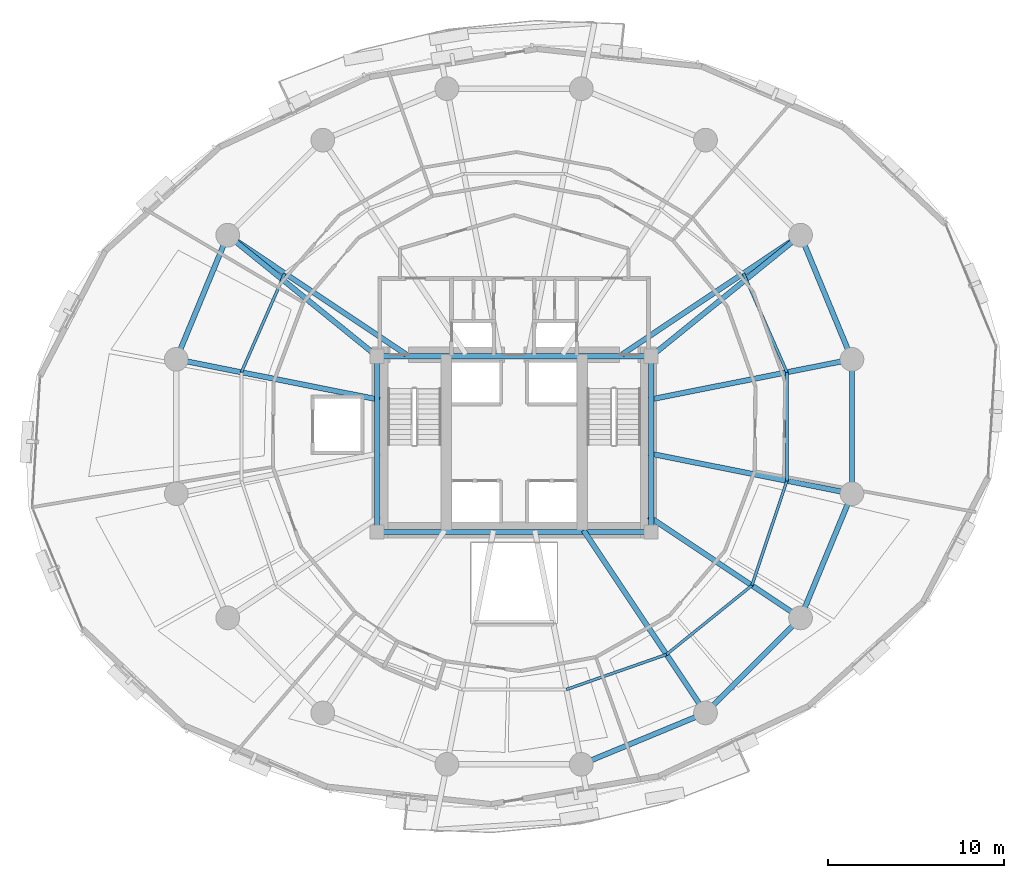
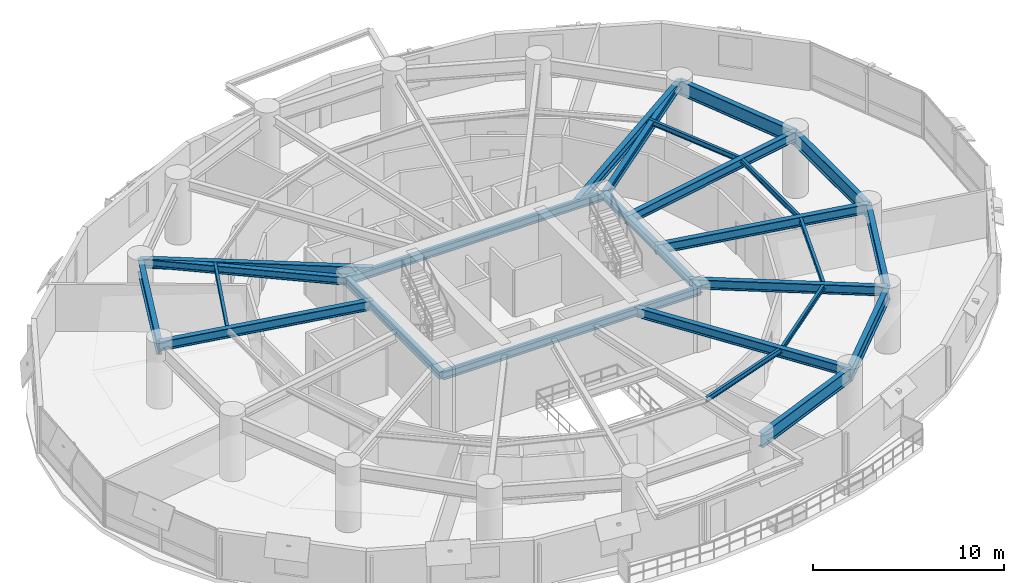
# One storey, part 7 of 17: 25 beams.
"""IFC4 building model written with IfcOpenShell, lengths in metres."""

from ifc_helpers import new_model, si_unit, direction, frame, origin, origin_2d, place, context, subcontext, project, spatial, i_section, extrude, material, material_profile, profile_set, type_object, element, save


model = new_model("IFC4")

# Units and contexts
model_context = context("Model", 3, precision=1e-05, world=origin(), true_north=direction((0.0, 1.0)))
body_context = subcontext(model_context, "Body", "Model", "MODEL_VIEW")
ifc_project = project(units=[si_unit("LENGTHUNIT", "METRE"), si_unit("AREAUNIT", "SQUARE_METRE"), si_unit("VOLUMEUNIT", "CUBIC_METRE"), si_unit("PLANEANGLEUNIT", "RADIAN"), si_unit("MASSUNIT", "GRAM", prefix="KILO"), si_unit("THERMODYNAMICTEMPERATUREUNIT", "KELVIN"), si_unit("POWERUNIT", "WATT")], contexts=[model_context])

# Site, building, storey
site_placement = place(None, origin())
site = spatial("IfcSite", under=ifc_project, at=site_placement, CompositionType="ELEMENT")
building_placement = place(site_placement, origin())
building = spatial("IfcBuilding", under=site, at=building_placement, Name="Ocrelia Relay Tower", CompositionType="ELEMENT")
storey_placement = place(building_placement, frame((0.0, 0.0, 72.0)))
storey = spatial("IfcBuildingStorey", under=building, at=storey_placement, Name="L16", CompositionType="ELEMENT", Elevation=72.0)

# Beams
ifc_material = material(Name="Steel S355", Category="steel")
ifc_material_profile_1 = material_profile(ifc_material, i_section(OverallWidth=0.300048828125, OverallDepth=0.5, WebThickness=0.014404296875, FlangeThickness=0.028076171875, FilletRadius=0.027099609375, at=origin_2d()), Name="HEB 500")
ifc_profile_set_1 = profile_set([ifc_material_profile_1], Name="Steel S355")
beam_type_1 = type_object("IfcBeamType", Name="BM-HEB500", PredefinedType="BEAM", material=ifc_profile_set_1)
for number, where, z_axis, x_axis, name in (
    (1, (26.199951171875, 20.0, 3.669921875), (1.0, 0.0, 0.0), (0.0, 1.0, 0.0), "L16 Core Pilaster Tie Beam S"),
    (2, (26.199951171875, 30.0, 3.669921875), (1.0, 0.0, 0.0), (0.0, 1.0, 0.0), "L16 Core Pilaster Tie Beam N"),
):
    element("IfcBeam", number, at=place(storey_placement, frame(where, z_axis=z_axis, x_axis=x_axis)), inside=storey, type_object=beam_type_1, Name=name, PredefinedType="BEAM", context=body_context, shape_type="SweptSolid", body=[
        extrude(i_section(OverallWidth=0.300048828125, OverallDepth=0.5, WebThickness=0.014404296875, FlangeThickness=0.028076171875, FilletRadius=0.027099609375, at=origin_2d()), origin(), (0.0, 0.0, 1.0), 15.60009765625),
    ])
for number, where, z_axis, x_axis, name in (
    (3, (26.199951171875, 20.0, 3.669921875), (0.0, 1.0, 0.0), (-1.0, 0.0, 0.0), "L16 Core Pilaster Tie Beam W"),
    (4, (41.800048828125, 20.0, 3.669921875), (0.0, 1.0, 0.0), (-1.0, 0.0, 0.0), "L16 Core Pilaster Tie Beam E"),
):
    element("IfcBeam", number, at=place(storey_placement, frame(where, z_axis=z_axis, x_axis=x_axis)), inside=storey, type_object=beam_type_1, Name=name, PredefinedType="BEAM", context=body_context, shape_type="SweptSolid", body=[
        extrude(i_section(OverallWidth=0.300048828125, OverallDepth=0.5, WebThickness=0.014404296875, FlangeThickness=0.028076171875, FilletRadius=0.027099609375, at=origin_2d()), origin(), (0.0, 0.0, 1.0), 10.0),
    ])
for number, where, z_axis, x_axis, name in (
    (5, (50.296875, 36.88916015625, 3.669921875), (-0.776762830896, -0.629793223637, 0.0), (0.629793223637, -0.776762830896, 0.0), "L16 Core Pilaster Frame Tie Beam PT02"),
    (6, (17.703125, 36.88916015625, 3.669921875), (0.776762830896, -0.629793223637, 0.0), (0.629793223637, 0.776762830896, 0.0), "L16 Core Pilaster Frame Tie Beam PT07"),
):
    element("IfcBeam", number, at=place(storey_placement, frame(where, z_axis=z_axis, x_axis=x_axis)), inside=storey, type_object=beam_type_1, Name=name, PredefinedType="BEAM", context=body_context, shape_type="SweptSolid", body=[
        extrude(i_section(OverallWidth=0.300048828125, OverallDepth=0.5, WebThickness=0.014404296875, FlangeThickness=0.028076171875, FilletRadius=0.027099609375, at=origin_2d()), origin(), (0.0, 0.0, 1.0), 10.938720703125),
    ])
ifc_material_profile_2 = material_profile(ifc_material, i_section(OverallWidth=0.300048828125, OverallDepth=0.60009765625, WebThickness=0.015380859375, FlangeThickness=0.030029296875, FilletRadius=0.027099609375, at=origin_2d()), Name="HEB 600")
ifc_profile_set_2 = profile_set([ifc_material_profile_2], Name="Steel S355")
beam_type_2 = type_object("IfcBeamType", Name="BM-HEB600", PredefinedType="BEAM", material=ifc_profile_set_2)
beam_1_placement = place(storey_placement, frame((53.223388671875, 29.82373046875, 3.6201171875), z_axis=(-0.980786324446, -0.195085073187, 0.0), x_axis=(0.195085073187, -0.980786324446, 0.0)))
element("IfcBeam", 7, at=beam_1_placement, inside=storey, type_object=beam_type_2, Name="L16 Radial Floor Girder R01", PredefinedType="BEAM", context=body_context, shape_type="SweptSolid", body=[
    extrude(i_section(OverallWidth=0.300048828125, OverallDepth=0.60009765625, WebThickness=0.015380859375, FlangeThickness=0.030029296875, FilletRadius=0.027099609375, at=origin_2d()), origin(), (0.0, 0.0, 1.0), 11.794921875),
])
for number, where, z_axis, x_axis, name in (
    (8, (50.296875, 36.88916015625, 3.6201171875), (-0.831471581268, -0.555567286243, 0.0), (0.555567286243, -0.831471581268, 0.0), "L16 Radial Floor Girder R02"),
    (9, (17.703125, 36.88916015625, 3.6201171875), (0.831471581268, -0.555567286243, 0.0), (0.555567286243, 0.831471581268, 0.0), "L16 Radial Floor Girder R07"),
):
    element("IfcBeam", number, at=place(storey_placement, frame(where, z_axis=z_axis, x_axis=x_axis)), inside=storey, type_object=beam_type_2, Name=name, PredefinedType="BEAM", context=body_context, shape_type="SweptSolid", body=[
        extrude(i_section(OverallWidth=0.300048828125, OverallDepth=0.60009765625, WebThickness=0.015380859375, FlangeThickness=0.030029296875, FilletRadius=0.027099609375, at=origin_2d()), origin(), (0.0, 0.0, 1.0), 12.211181640625),
    ])
beam_2_placement = place(storey_placement, frame((14.776611328125, 29.82373046875, 3.6201171875), z_axis=(0.980786938484, -0.195081986098, 0.0), x_axis=(0.195081986098, 0.980786938484, 0.0)))
element("IfcBeam", 10, at=beam_2_placement, inside=storey, type_object=beam_type_2, Name="L16 Radial Floor Girder R08", PredefinedType="BEAM", context=body_context, shape_type="SweptSolid", body=[
    extrude(i_section(OverallWidth=0.300048828125, OverallDepth=0.60009765625, WebThickness=0.015380859375, FlangeThickness=0.030029296875, FilletRadius=0.027099609375, at=origin_2d()), origin(), (0.0, 0.0, 1.0), 11.80517578125),
])
beam_3_placement = place(storey_placement, frame((44.88916015625, 9.703125, 3.6201171875), z_axis=(-0.555569912646, 0.831469826369, 0.0), x_axis=(-0.831469826369, -0.555569912646, 0.0)))
element("IfcBeam", 11, at=beam_3_placement, inside=storey, type_object=beam_type_2, Name="L16 Radial Floor Girder R14", PredefinedType="BEAM", context=body_context, shape_type="SweptSolid", body=[
    extrude(i_section(OverallWidth=0.300048828125, OverallDepth=0.60009765625, WebThickness=0.015380859375, FlangeThickness=0.030029296875, FilletRadius=0.027099609375, at=origin_2d()), origin(), (0.0, 0.0, 1.0), 12.498046875),
])
beam_4_placement = place(storey_placement, frame((50.296875, 15.11083984375, 3.6201171875), z_axis=(-0.831475246583, 0.555561800631, 0.0), x_axis=(-0.555561800631, -0.831475246583, 0.0)))
element("IfcBeam", 12, at=beam_4_placement, inside=storey, type_object=beam_type_2, Name="L16 Radial Floor Girder R15", PredefinedType="BEAM", context=body_context, shape_type="SweptSolid", body=[
    extrude(i_section(OverallWidth=0.300048828125, OverallDepth=0.60009765625, WebThickness=0.015380859375, FlangeThickness=0.030029296875, FilletRadius=0.027099609375, at=origin_2d()), origin(), (0.0, 0.0, 1.0), 10.393310546875),
])
beam_5_placement = place(storey_placement, frame((53.223388671875, 22.17626953125, 3.6201171875), z_axis=(-0.980786324446, 0.195085073187, 0.0), x_axis=(-0.195085073187, -0.980786324446, 0.0)))
element("IfcBeam", 13, at=beam_5_placement, inside=storey, type_object=beam_type_2, Name="L16 Radial Floor Girder R16", PredefinedType="BEAM", context=body_context, shape_type="SweptSolid", body=[
    extrude(i_section(OverallWidth=0.300048828125, OverallDepth=0.60009765625, WebThickness=0.015380859375, FlangeThickness=0.030029296875, FilletRadius=0.027099609375, at=origin_2d()), origin(), (0.0, 0.0, 1.0), 11.794921875),
])
ifc_material_profile_3 = material_profile(ifc_material, i_section(OverallWidth=0.300048828125, OverallDepth=0.89990234375, WebThickness=0.0185546875, FlangeThickness=0.034912109375, FilletRadius=0.030029296875, at=origin_2d()), Name="HEB 900")
ifc_profile_set_3 = profile_set([ifc_material_profile_3], Name="Steel S355")
beam_type_3 = type_object("IfcBeamType", Name="BM-HEB900", PredefinedType="BEAM", material=ifc_profile_set_3)
for number, where, z_axis, x_axis, name in (
    (14, (53.223388671875, 29.82373046875, 3.469970703125), (-0.382674154222, 0.923883375589, 0.0), (-0.923883375589, -0.382674154222, 0.0), "L16 Perimeter Spandrel Beam S01"),
    (15, (17.703125, 36.88916015625, 3.469970703125), (-0.382674154222, -0.923883375589, 0.0), (0.923883375589, -0.382674154222, 0.0), "L16 Perimeter Spandrel Beam S07"),
    (16, (37.82373046875, 6.776611328125, 3.469970703125), (0.923883375589, 0.382674154222, 0.0), (-0.382674154222, 0.923883375589, 0.0), "L16 Perimeter Spandrel Beam S13"),
):
    element("IfcBeam", number, at=place(storey_placement, frame(where, z_axis=z_axis, x_axis=x_axis)), inside=storey, type_object=beam_type_3, Name=name, PredefinedType="BEAM", context=body_context, shape_type="SweptSolid", body=[
        extrude(i_section(OverallWidth=0.300048828125, OverallDepth=0.89990234375, WebThickness=0.0185546875, FlangeThickness=0.034912109375, FilletRadius=0.030029296875, at=origin_2d()), origin(), (0.0, 0.0, 1.0), 7.6474609375),
    ])
beam_6_placement = place(storey_placement, frame((44.88916015625, 9.703125, 3.469970703125), z_axis=(0.707106781187, 0.707106781187, 0.0), x_axis=(-0.707106781187, 0.707106781187, 0.0)))
element("IfcBeam", 17, at=beam_6_placement, inside=storey, type_object=beam_type_3, Name="L16 Perimeter Spandrel Beam S14", PredefinedType="BEAM", context=body_context, shape_type="SweptSolid", body=[
    extrude(i_section(OverallWidth=0.300048828125, OverallDepth=0.89990234375, WebThickness=0.0185546875, FlangeThickness=0.034912109375, FilletRadius=0.030029296875, at=origin_2d()), origin(), (0.0, 0.0, 1.0), 7.647705078125),
])
for number, where, z_axis, x_axis, name in (
    (18, (50.296875, 15.11083984375, 3.469970703125), (0.382674154222, 0.923883375589, 0.0), (-0.923883375589, 0.382674154222, 0.0), "L16 Perimeter Spandrel Beam S15"),
    (19, (53.223388671875, 22.17626953125, 3.469970703125), (0.0, 1.0, 0.0), (-1.0, 0.0, 0.0), "L16 Perimeter Spandrel Beam S16"),
):
    element("IfcBeam", number, at=place(storey_placement, frame(where, z_axis=z_axis, x_axis=x_axis)), inside=storey, type_object=beam_type_3, Name=name, PredefinedType="BEAM", context=body_context, shape_type="SweptSolid", body=[
        extrude(i_section(OverallWidth=0.300048828125, OverallDepth=0.89990234375, WebThickness=0.0185546875, FlangeThickness=0.034912109375, FilletRadius=0.030029296875, at=origin_2d()), origin(), (0.0, 0.0, 1.0), 7.6474609375),
    ])
ifc_material_profile_4 = material_profile(ifc_material, i_section(OverallWidth=0.159912109375, OverallDepth=0.330078125, WebThickness=0.007568359375, FlangeThickness=0.011474609375, FilletRadius=0.01806640625, at=origin_2d()), Name="IPE 330")
ifc_profile_set_4 = profile_set([ifc_material_profile_4], Name="Steel S355")
beam_type_4 = type_object("IfcBeamType", Name="BM-IPE330", PredefinedType="JOIST", material=ifc_profile_set_4)
beam_7_placement = place(storey_placement, frame((49.521484375, 29.08740234375, 3.7548828125), z_axis=(-0.402201104053, 0.915551348586, 0.0), x_axis=(-0.915551348586, -0.402201104053, 0.0)))
element("IfcBeam", 20, at=beam_7_placement, inside=storey, type_object=beam_type_4, Name="L16 Secondary Floor Joist J01", PredefinedType="JOIST", context=body_context, shape_type="SweptSolid", body=[
    extrude(i_section(OverallWidth=0.159912109375, OverallDepth=0.330078125, WebThickness=0.007568359375, FlangeThickness=0.011474609375, FilletRadius=0.01806640625, at=origin_2d()), origin(), (0.0, 0.0, 1.0), 6.150146484375),
])
beam_8_placement = place(storey_placement, frame((20.9521484375, 34.71826171875, 3.7548828125), z_axis=(-0.401739185135, -0.915754130281, 0.0), x_axis=(0.915754130281, -0.401739185135, 0.0)))
element("IfcBeam", 21, at=beam_8_placement, inside=storey, type_object=beam_type_4, Name="L16 Secondary Floor Joist J07", PredefinedType="JOIST", context=body_context, shape_type="SweptSolid", body=[
    extrude(i_section(OverallWidth=0.159912109375, OverallDepth=0.330078125, WebThickness=0.007568359375, FlangeThickness=0.011474609375, FilletRadius=0.01806640625, at=origin_2d()), origin(), (0.0, 0.0, 1.0), 6.1494140625),
])
beam_9_placement = place(storey_placement, frame((36.97607421875, 11.03857421875, 3.7548828125), z_axis=(0.943957429675, 0.330067221882, 0.0), x_axis=(-0.330067221882, 0.943957429675, 0.0)))
element("IfcBeam", 22, at=beam_9_placement, inside=storey, type_object=beam_type_4, Name="L16 Secondary Floor Joist J13", PredefinedType="JOIST", context=body_context, shape_type="SweptSolid", body=[
    extrude(i_section(OverallWidth=0.159912109375, OverallDepth=0.330078125, WebThickness=0.007568359375, FlangeThickness=0.011474609375, FilletRadius=0.01806640625, at=origin_2d()), origin(), (0.0, 0.0, 1.0), 6.029052734375),
])
beam_10_placement = place(storey_placement, frame((42.667236328125, 13.028564453125, 3.7548828125), z_axis=(0.777854562422, 0.628444333031, 0.0), x_axis=(-0.628444333031, 0.777854562422, 0.0)))
element("IfcBeam", 23, at=beam_10_placement, inside=storey, type_object=beam_type_4, Name="L16 Secondary Floor Joist J14", PredefinedType="JOIST", context=body_context, shape_type="SweptSolid", body=[
    extrude(i_section(OverallWidth=0.159912109375, OverallDepth=0.330078125, WebThickness=0.007568359375, FlangeThickness=0.011474609375, FilletRadius=0.01806640625, at=origin_2d()), origin(), (0.0, 0.0, 1.0), 6.25341796875),
])
beam_11_placement = place(storey_placement, frame((47.531494140625, 16.95849609375, 3.7548828125), z_axis=(0.31698600471, 0.948430215049, 0.0), x_axis=(-0.948430215049, 0.31698600471, 0.0)))
element("IfcBeam", 24, at=beam_11_placement, inside=storey, type_object=beam_type_4, Name="L16 Secondary Floor Joist J15", PredefinedType="JOIST", context=body_context, shape_type="SweptSolid", body=[
    extrude(i_section(OverallWidth=0.159912109375, OverallDepth=0.330078125, WebThickness=0.007568359375, FlangeThickness=0.011474609375, FilletRadius=0.01806640625, at=origin_2d()), origin(), (0.0, 0.0, 1.0), 6.27783203125),
])
beam_12_placement = place(storey_placement, frame((49.521484375, 22.91259765625, 3.7548828125), z_axis=(0.0, 1.0, 0.0), x_axis=(-1.0, 0.0, 0.0)))
element("IfcBeam", 25, at=beam_12_placement, inside=storey, type_object=beam_type_4, Name="L16 Secondary Floor Joist J16", PredefinedType="JOIST", context=body_context, shape_type="SweptSolid", body=[
    extrude(i_section(OverallWidth=0.159912109375, OverallDepth=0.330078125, WebThickness=0.007568359375, FlangeThickness=0.011474609375, FilletRadius=0.01806640625, at=origin_2d()), origin(), (0.0, 0.0, 1.0), 6.1748046875),
])

save(model, "model.ifc")
